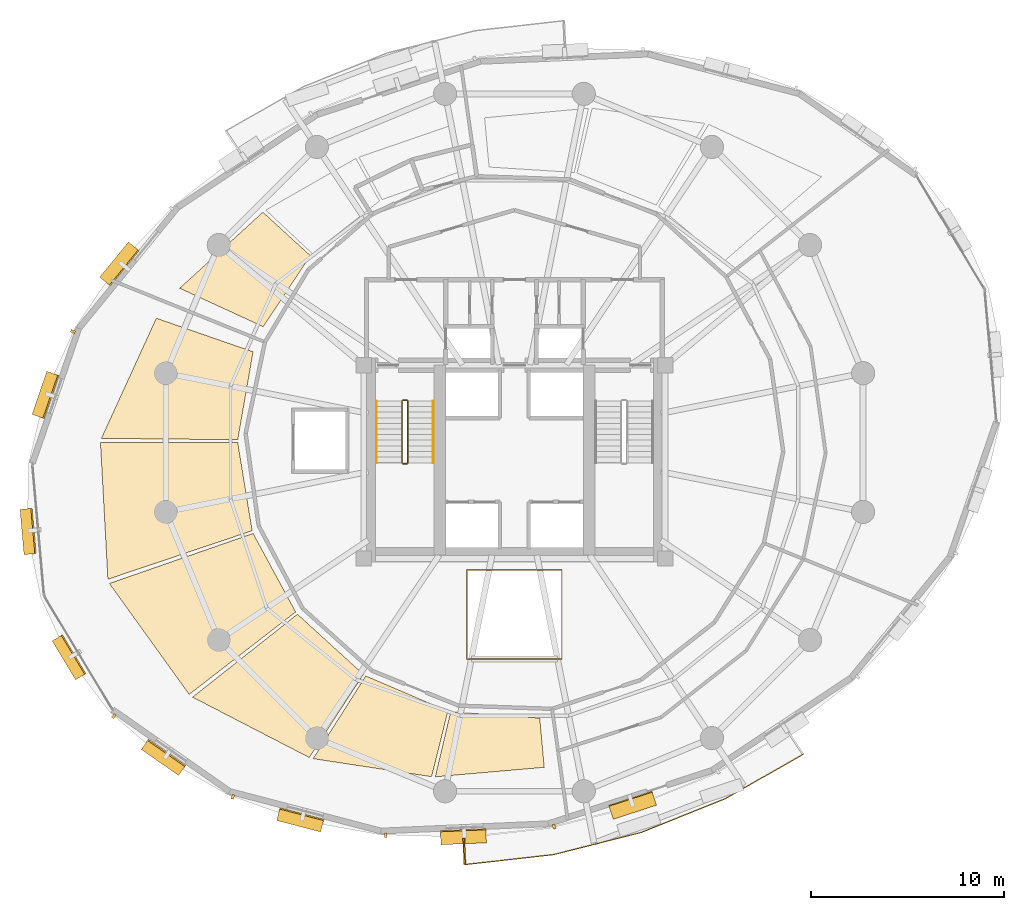
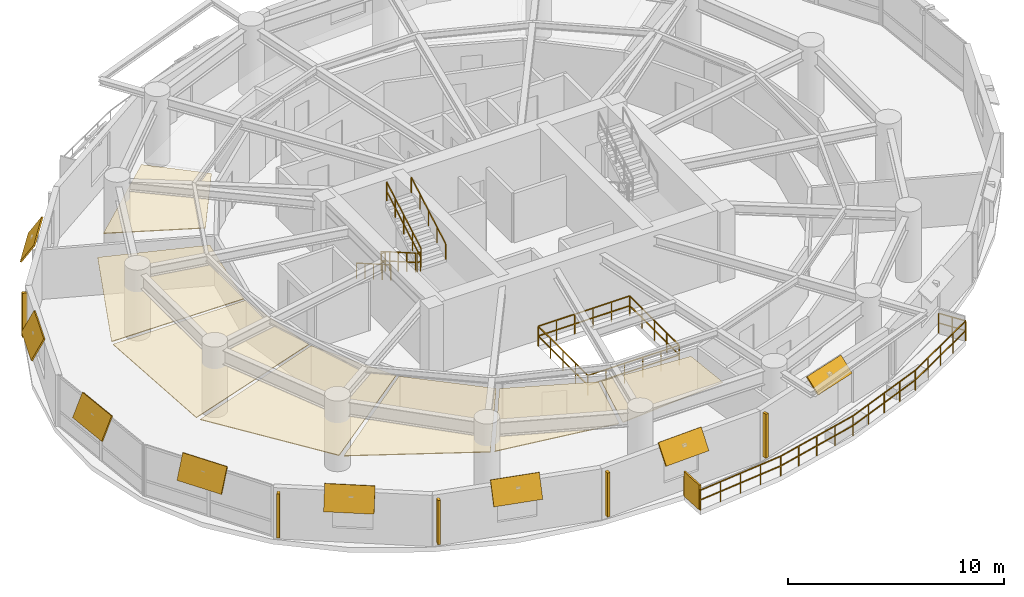
# One storey, part 13 of 15: 14 shading devices, 8 railings, 7 coverings.
"""IFC4 building model written with IfcOpenShell, lengths in metres."""

from ifc_helpers import new_model, si_unit, direction, frame, origin, origin_2d, place, context, subcontext, project, spatial, polyline, rectangle, outline, extrude, material, layer, layer_set, type_object, element, save


model = new_model("IFC4")

# Units and contexts
model_context = context("Model", 3, precision=1e-05, world=origin(), true_north=direction((0.0, 1.0)))
body_context = subcontext(model_context, "Body", "Model", "MODEL_VIEW")
ifc_project = project(units=[si_unit("LENGTHUNIT", "METRE"), si_unit("AREAUNIT", "SQUARE_METRE"), si_unit("VOLUMEUNIT", "CUBIC_METRE"), si_unit("PLANEANGLEUNIT", "RADIAN"), si_unit("MASSUNIT", "GRAM", prefix="KILO"), si_unit("THERMODYNAMICTEMPERATUREUNIT", "KELVIN"), si_unit("POWERUNIT", "WATT")], contexts=[model_context])

# Site, building, storey
site_placement = place(None, origin())
site = spatial("IfcSite", under=ifc_project, at=site_placement, CompositionType="ELEMENT")
building_placement = place(site_placement, origin())
building = spatial("IfcBuilding", under=site, at=building_placement, Name="Ocrelia Relay Tower", CompositionType="ELEMENT")
storey_placement = place(building_placement, frame((0.0, 0.0, 109.800048828125)))
storey = spatial("IfcBuildingStorey", under=building, at=storey_placement, Name="L25", CompositionType="ELEMENT", Elevation=109.800048828125)

# Coverings
ifc_material_1 = material(Name="Mineral-fiber acoustic ceiling tile", Category="gypsum")
ifc_layer_1 = layer(ifc_material_1, 0.0400390625, Name="Mineral-fiber acoustic ceiling tile")
ifc_layer_set_1 = layer_set([ifc_layer_1], Name="Mineral-fiber acoustic ceiling tile")
covering_type_1 = type_object("IfcCoveringType", Name="COV-CEIL-ACOUSTIC", PredefinedType="CEILING", material=ifc_layer_set_1)
covering_1_placement = place(storey_placement, frame((0.0, 0.0, 2.719970703125)))
element("IfcCovering", 1, at=covering_1_placement, inside=storey, type_object=covering_type_1, Name="L25 Network Engineering Office A Suspended Ceiling 3", PredefinedType="CEILING", context=body_context, shape_type="SweptSolid", body=[
    extrude(outline(polyline([(23.439453125, 35.67138671875), (20.9814453125, 37.92236328125), (16.675048828125, 33.987060546875), (20.995361328125, 31.9951171875), (23.439453125, 35.67138671875)])), origin(), (0.0, 0.0, 1.0), 0.0400390625),
])
ifc_material_2 = material(Name="Cleanroom metal-pan acoustic ceiling", Category="aluminium")
ifc_layer_2 = layer(ifc_material_2, 0.0400390625, Name="Cleanroom metal-pan acoustic ceiling")
ifc_layer_set_2 = layer_set([ifc_layer_2], Name="Cleanroom metal-pan acoustic ceiling")
covering_type_2 = type_object("IfcCoveringType", Name="COV-CEIL-CLEAN", PredefinedType="CEILING", material=ifc_layer_set_2)
covering_2_placement = place(storey_placement, frame((0.0, 0.0, 2.719970703125)))
element("IfcCovering", 2, at=covering_2_placement, inside=storey, type_object=covering_type_2, Name="L25 Optical Switching Hall A Suspended Ceiling 1", PredefinedType="CEILING", context=body_context, shape_type="SweptSolid", body=[
    extrude(outline(polyline([(20.472412109375, 30.697509765625), (15.466796875, 32.435791015625), (12.62255859375, 26.2177734375), (19.6806640625, 26.145751953125), (20.472412109375, 30.697509765625)])), origin(), (0.0, 0.0, 1.0), 0.0400390625),
])
covering_3_placement = place(storey_placement, frame((0.0, 0.0, 2.719970703125)))
element("IfcCovering", 3, at=covering_3_placement, inside=storey, type_object=covering_type_2, Name="L25 Optical Switching Hall A Suspended Ceiling 2", PredefinedType="CEILING", context=body_context, shape_type="SweptSolid", body=[
    extrude(outline(polyline([(19.679931640625, 25.995849609375), (12.57373046875, 25.993896484375), (12.958251953125, 18.925537109375), (20.426513671875, 21.4365234375), (19.679931640625, 25.995849609375)])), origin(), (0.0, 0.0, 1.0), 0.0400390625),
])
covering_4_placement = place(storey_placement, frame((0.0, 0.0, 2.719970703125)))
element("IfcCovering", 4, at=covering_4_placement, inside=storey, type_object=covering_type_2, Name="L25 Optical Switching Hall A Suspended Ceiling 3", PredefinedType="CEILING", context=body_context, shape_type="SweptSolid", body=[
    extrude(outline(polyline([(20.47509765625, 21.294677734375), (13.035888671875, 18.706298828125), (17.1650390625, 12.965087890625), (22.67724609375, 17.23291015625), (20.47509765625, 21.294677734375)])), origin(), (0.0, 0.0, 1.0), 0.0400390625),
])
covering_5_placement = place(storey_placement, frame((0.0, 0.0, 2.719970703125)))
element("IfcCovering", 5, at=covering_5_placement, inside=storey, type_object=covering_type_2, Name="L25 Optical Switching Hall A Suspended Ceiling 4", PredefinedType="CEILING", context=body_context, shape_type="SweptSolid", body=[
    extrude(outline(polyline([(22.769775390625, 17.114990234375), (17.342041015625, 12.82080078125), (23.38037109375, 9.698974609375), (26.183349609375, 14.001708984375), (22.769775390625, 17.114990234375)])), origin(), (0.0, 0.0, 1.0), 0.0400390625),
])
covering_6_placement = place(storey_placement, frame((0.0, 0.0, 2.719970703125)))
element("IfcCovering", 6, at=covering_6_placement, inside=storey, type_object=covering_type_2, Name="L25 Optical Switching Hall A Suspended Ceiling 5", PredefinedType="CEILING", context=body_context, shape_type="SweptSolid", body=[
    extrude(outline(polyline([(26.309326171875, 13.92041015625), (23.5830078125, 9.637939453125), (29.71435546875, 8.703857421875), (30.555908203125, 12.100341796875), (26.309326171875, 13.92041015625)])), origin(), (0.0, 0.0, 1.0), 0.0400390625),
])
covering_7_placement = place(storey_placement, frame((0.0, 0.0, 2.719970703125)))
element("IfcCovering", 7, at=covering_7_placement, inside=storey, type_object=covering_type_2, Name="L25 Optical Switching Hall A Suspended Ceiling 6", PredefinedType="CEILING", context=body_context, shape_type="SweptSolid", body=[
    extrude(outline(polyline([(30.70166015625, 12.06494140625), (29.905029296875, 8.69970703125), (35.544677734375, 9.18994140625), (35.310302734375, 11.739990234375), (30.70166015625, 12.06494140625)])), origin(), (0.0, 0.0, 1.0), 0.0400390625),
])

# Railings
ifc_material_3 = material(Name="Steel S355 balustrade", Category="steel")
railing_type_1 = type_object("IfcRailingType", Name="RL-EXT-GUARD-1150", PredefinedType="GUARDRAIL", material=ifc_material_3)
railing_1_placement = place(storey_placement, frame((48.17138671875, 11.018798828125, 0.0)))
element("IfcRailing", 8, at=railing_1_placement, inside=storey, type_object=railing_type_1, Name="L25 Loggia Balcony Guard Rail B2", PredefinedType="GUARDRAIL", context=body_context, shape_type="SweptSolid", body=[
    extrude(rectangle(XDim=0.048095703125, YDim=0.048095703125, at=origin_2d()), frame((0.0, 0.0, 1.1259765625), z_axis=(0.554902349709, -0.831915489871, 0.0), x_axis=(0.831915489871, 0.554902349709, 0.0)), (0.0, 0.0, 1.0), 1.393310546875),
    extrude(rectangle(XDim=0.048095703125, YDim=0.048095703125, at=origin_2d()), frame((0.0, 0.0, 0.574951171875), z_axis=(0.554902349709, -0.831915489871, 0.0), x_axis=(0.831915489871, 0.554902349709, 0.0)), (0.0, 0.0, 1.0), 1.393310546875),
    extrude(rectangle(XDim=0.048095703125, YDim=0.048095703125, at=origin_2d()), frame((0.773193359375, -1.1591796875, 1.1259765625), z_axis=(-0.868884753161, -0.495014429813, 0.0), x_axis=(0.495014429813, -0.868884753161, 0.0)), (0.0, 0.0, 1.0), 2.315673828125),
    extrude(rectangle(XDim=0.048095703125, YDim=0.048095703125, at=origin_2d()), frame((0.773193359375, -1.1591796875, 0.574951171875), z_axis=(-0.868884753161, -0.495014429813, 0.0), x_axis=(0.495014429813, -0.868884753161, 0.0)), (0.0, 0.0, 1.0), 2.315673828125),
    extrude(rectangle(XDim=0.048095703125, YDim=0.048095703125, at=origin_2d()), frame((-1.23876953125, -2.305419921875, 1.1259765625), z_axis=(-0.868865242424, -0.495048674887, 0.0), x_axis=(0.495048674887, -0.868865242424, 0.0)), (0.0, 0.0, 1.0), 2.31591796875),
    extrude(rectangle(XDim=0.048095703125, YDim=0.048095703125, at=origin_2d()), frame((-1.23876953125, -2.305419921875, 0.574951171875), z_axis=(-0.868865242424, -0.495048674887, 0.0), x_axis=(0.495048674887, -0.868865242424, 0.0)), (0.0, 0.0, 1.0), 2.31591796875),
    extrude(rectangle(XDim=0.048095703125, YDim=0.048095703125, at=origin_2d()), frame((-3.2509765625, -3.451904296875, 1.1259765625), z_axis=(-0.927900195964, -0.372828682278, 0.0), x_axis=(0.372828682278, -0.927900195964, 0.0)), (0.0, 0.0, 1.0), 4.68212890625),
    extrude(rectangle(XDim=0.048095703125, YDim=0.048095703125, at=origin_2d()), frame((-3.2509765625, -3.451904296875, 0.574951171875), z_axis=(-0.927900195964, -0.372828682278, 0.0), x_axis=(0.372828682278, -0.927900195964, 0.0)), (0.0, 0.0, 1.0), 4.68212890625),
    extrude(rectangle(XDim=0.048095703125, YDim=0.048095703125, at=origin_2d()), frame((-7.595458984375, -5.197509765625, 1.1259765625), z_axis=(-0.969411192098, -0.245442336679, 0.0), x_axis=(0.245442336679, -0.969411192098, 0.0)), (0.0, 0.0, 1.0), 4.68212890625),
    extrude(rectangle(XDim=0.048095703125, YDim=0.048095703125, at=origin_2d()), frame((-7.595458984375, -5.197509765625, 0.574951171875), z_axis=(-0.969411192098, -0.245442336679, 0.0), x_axis=(0.245442336679, -0.969411192098, 0.0)), (0.0, 0.0, 1.0), 4.68212890625),
    extrude(rectangle(XDim=0.048095703125, YDim=0.048095703125, at=origin_2d()), frame((-12.13427734375, -6.3466796875, 1.1259765625), z_axis=(-0.993701122452, -0.112062836109, 0.0), x_axis=(0.112062836109, -0.993701122452, 0.0)), (0.0, 0.0, 1.0), 2.31591796875),
    extrude(rectangle(XDim=0.048095703125, YDim=0.048095703125, at=origin_2d()), frame((-12.13427734375, -6.3466796875, 0.574951171875), z_axis=(-0.993701122452, -0.112062836109, 0.0), x_axis=(0.112062836109, -0.993701122452, 0.0)), (0.0, 0.0, 1.0), 2.31591796875),
    extrude(rectangle(XDim=0.048095703125, YDim=0.048095703125, at=origin_2d()), frame((-14.435546875, -6.606201171875, 1.1259765625), z_axis=(-0.993712856534, -0.11195873686, 0.0), x_axis=(0.11195873686, -0.993712856534, 0.0)), (0.0, 0.0, 1.0), 2.31591796875),
    extrude(rectangle(XDim=0.048095703125, YDim=0.048095703125, at=origin_2d()), frame((-14.435546875, -6.606201171875, 0.574951171875), z_axis=(-0.993712856534, -0.11195873686, 0.0), x_axis=(0.11195873686, -0.993712856534, 0.0)), (0.0, 0.0, 1.0), 2.31591796875),
    extrude(rectangle(XDim=0.048095703125, YDim=0.048095703125, at=origin_2d()), frame((-16.73681640625, -6.865478515625, 1.1259765625), z_axis=(-0.041696128443, 0.999130338281, 0.0), x_axis=(-0.999130338281, -0.041696128443, 0.0)), (0.0, 0.0, 1.0), 1.3935546875),
    extrude(rectangle(XDim=0.048095703125, YDim=0.048095703125, at=origin_2d()), frame((-16.73681640625, -6.865478515625, 0.574951171875), z_axis=(-0.041696128443, 0.999130338281, 0.0), x_axis=(-0.999130338281, -0.041696128443, 0.0)), (0.0, 0.0, 1.0), 1.3935546875),
    extrude(rectangle(XDim=0.0419921875, YDim=0.0419921875, at=origin_2d()), origin(), (0.0, 0.0, 1.0), 1.101806640625),
    extrude(rectangle(XDim=0.0419921875, YDim=0.0419921875, at=origin_2d()), frame((0.38671875, -0.57958984375, 0.0)), (0.0, 0.0, 1.0), 1.101806640625),
    extrude(rectangle(XDim=0.0419921875, YDim=0.0419921875, at=origin_2d()), frame((0.773193359375, -1.1591796875, 0.0)), (0.0, 0.0, 1.0), 1.101806640625),
    extrude(rectangle(XDim=0.0419921875, YDim=0.0419921875, at=origin_2d()), frame((-0.23291015625, -1.732421875, 0.0)), (0.0, 0.0, 1.0), 1.101806640625),
    extrude(rectangle(XDim=0.0419921875, YDim=0.0419921875, at=origin_2d()), frame((-1.23876953125, -2.305419921875, 0.0)), (0.0, 0.0, 1.0), 1.101806640625),
    extrude(rectangle(XDim=0.0419921875, YDim=0.0419921875, at=origin_2d()), frame((-2.244873046875, -2.878662109375, 0.0)), (0.0, 0.0, 1.0), 1.101806640625),
    extrude(rectangle(XDim=0.0419921875, YDim=0.0419921875, at=origin_2d()), frame((-3.2509765625, -3.451904296875, 0.0)), (0.0, 0.0, 1.0), 1.101806640625),
    extrude(rectangle(XDim=0.0419921875, YDim=0.0419921875, at=origin_2d()), frame((-4.337158203125, -3.88818359375, 0.0)), (0.0, 0.0, 1.0), 1.101806640625),
    extrude(rectangle(XDim=0.0419921875, YDim=0.0419921875, at=origin_2d()), frame((-5.42333984375, -4.32470703125, 0.0)), (0.0, 0.0, 1.0), 1.101806640625),
    extrude(rectangle(XDim=0.0419921875, YDim=0.0419921875, at=origin_2d()), frame((-6.50927734375, -4.76123046875, 0.0)), (0.0, 0.0, 1.0), 1.101806640625),
    extrude(rectangle(XDim=0.0419921875, YDim=0.0419921875, at=origin_2d()), frame((-7.595458984375, -5.197509765625, 0.0)), (0.0, 0.0, 1.0), 1.101806640625),
    extrude(rectangle(XDim=0.0419921875, YDim=0.0419921875, at=origin_2d()), frame((-8.730224609375, -5.48486328125, 0.0)), (0.0, 0.0, 1.0), 1.101806640625),
    extrude(rectangle(XDim=0.0419921875, YDim=0.0419921875, at=origin_2d()), frame((-9.86474609375, -5.77197265625, 0.0)), (0.0, 0.0, 1.0), 1.101806640625),
    extrude(rectangle(XDim=0.0419921875, YDim=0.0419921875, at=origin_2d()), frame((-10.99951171875, -6.059326171875, 0.0)), (0.0, 0.0, 1.0), 1.101806640625),
    extrude(rectangle(XDim=0.0419921875, YDim=0.0419921875, at=origin_2d()), frame((-12.13427734375, -6.3466796875, 0.0)), (0.0, 0.0, 1.0), 1.101806640625),
    extrude(rectangle(XDim=0.0419921875, YDim=0.0419921875, at=origin_2d()), frame((-13.284912109375, -6.4765625, 0.0)), (0.0, 0.0, 1.0), 1.101806640625),
    extrude(rectangle(XDim=0.0419921875, YDim=0.0419921875, at=origin_2d()), frame((-14.435546875, -6.606201171875, 0.0)), (0.0, 0.0, 1.0), 1.101806640625),
    extrude(rectangle(XDim=0.0419921875, YDim=0.0419921875, at=origin_2d()), frame((-15.586181640625, -6.73583984375, 0.0)), (0.0, 0.0, 1.0), 1.101806640625),
    extrude(rectangle(XDim=0.0419921875, YDim=0.0419921875, at=origin_2d()), frame((-16.73681640625, -6.865478515625, 0.0)), (0.0, 0.0, 1.0), 1.101806640625),
    extrude(rectangle(XDim=0.0419921875, YDim=0.0419921875, at=origin_2d()), frame((-16.765869140625, -6.16943359375, 0.0)), (0.0, 0.0, 1.0), 1.101806640625),
    extrude(rectangle(XDim=0.0419921875, YDim=0.0419921875, at=origin_2d()), frame((-16.794921875, -5.47314453125, 0.0)), (0.0, 0.0, 1.0), 1.101806640625),
])
ifc_material_4 = material(Name="Steel S355 atrium balustrade", Category="steel")
railing_type_2 = type_object("IfcRailingType", Name="RL-INT-GUARD-115", PredefinedType="GUARDRAIL", material=ifc_material_4)
railing_2_placement = place(storey_placement, frame((31.550048828125, 14.800048828125, 0.0)))
element("IfcRailing", 9, at=railing_2_placement, inside=storey, type_object=railing_type_2, Name="L25 Multi-Zone Interior Atrium Guard", PredefinedType="GUARDRAIL", context=body_context, shape_type="SweptSolid", body=[
    extrude(rectangle(XDim=0.048095703125, YDim=0.048095703125, at=origin_2d()), frame((0.0, 0.0, 1.1259765625), z_axis=(1.0, 0.0, 0.0), x_axis=(0.0, 1.0, 0.0)), (0.0, 0.0, 1.0), 4.89990234375),
    extrude(rectangle(XDim=0.048095703125, YDim=0.048095703125, at=origin_2d()), frame((0.0, 0.0, 0.574951171875), z_axis=(1.0, 0.0, 0.0), x_axis=(0.0, 1.0, 0.0)), (0.0, 0.0, 1.0), 4.89990234375),
    extrude(rectangle(XDim=0.048095703125, YDim=0.048095703125, at=origin_2d()), frame((4.89990234375, 0.0, 1.1259765625), z_axis=(0.0, 1.0, 0.0), x_axis=(-1.0, 0.0, 0.0)), (0.0, 0.0, 1.0), 4.599853515625),
    extrude(rectangle(XDim=0.048095703125, YDim=0.048095703125, at=origin_2d()), frame((4.89990234375, 0.0, 0.574951171875), z_axis=(0.0, 1.0, 0.0), x_axis=(-1.0, 0.0, 0.0)), (0.0, 0.0, 1.0), 4.599853515625),
    extrude(rectangle(XDim=0.048095703125, YDim=0.048095703125, at=origin_2d()), frame((4.89990234375, 4.599853515625, 1.1259765625), z_axis=(-1.0, 0.0, 0.0), x_axis=(0.0, -1.0, 0.0)), (0.0, 0.0, 1.0), 4.89990234375),
    extrude(rectangle(XDim=0.048095703125, YDim=0.048095703125, at=origin_2d()), frame((4.89990234375, 4.599853515625, 0.574951171875), z_axis=(-1.0, 0.0, 0.0), x_axis=(0.0, -1.0, 0.0)), (0.0, 0.0, 1.0), 4.89990234375),
    extrude(rectangle(XDim=0.048095703125, YDim=0.048095703125, at=origin_2d()), frame((0.0, 4.599853515625, 1.1259765625), z_axis=(0.0, -1.0, 0.0), x_axis=(1.0, 0.0, 0.0)), (0.0, 0.0, 1.0), 4.599853515625),
    extrude(rectangle(XDim=0.048095703125, YDim=0.048095703125, at=origin_2d()), frame((0.0, 4.599853515625, 0.574951171875), z_axis=(0.0, -1.0, 0.0), x_axis=(1.0, 0.0, 0.0)), (0.0, 0.0, 1.0), 4.599853515625),
    extrude(rectangle(XDim=0.0419921875, YDim=0.0419921875, at=origin_2d()), origin(), (0.0, 0.0, 1.0), 1.101806640625),
    extrude(rectangle(XDim=0.0419921875, YDim=0.0419921875, at=origin_2d()), frame((0.97998046875, 0.0, 0.0)), (0.0, 0.0, 1.0), 1.101806640625),
    extrude(rectangle(XDim=0.0419921875, YDim=0.0419921875, at=origin_2d()), frame((1.9599609375, 0.0, 0.0)), (0.0, 0.0, 1.0), 1.101806640625),
    extrude(rectangle(XDim=0.0419921875, YDim=0.0419921875, at=origin_2d()), frame((2.93994140625, 0.0, 0.0)), (0.0, 0.0, 1.0), 1.101806640625),
    extrude(rectangle(XDim=0.0419921875, YDim=0.0419921875, at=origin_2d()), frame((3.919921875, 0.0, 0.0)), (0.0, 0.0, 1.0), 1.101806640625),
    extrude(rectangle(XDim=0.0419921875, YDim=0.0419921875, at=origin_2d()), frame((4.89990234375, 0.0, 0.0)), (0.0, 0.0, 1.0), 1.101806640625),
    extrude(rectangle(XDim=0.0419921875, YDim=0.0419921875, at=origin_2d()), frame((4.89990234375, 1.14990234375, 0.0)), (0.0, 0.0, 1.0), 1.101806640625),
    extrude(rectangle(XDim=0.0419921875, YDim=0.0419921875, at=origin_2d()), frame((4.89990234375, 2.2998046875, 0.0)), (0.0, 0.0, 1.0), 1.101806640625),
    extrude(rectangle(XDim=0.0419921875, YDim=0.0419921875, at=origin_2d()), frame((4.89990234375, 3.449951171875, 0.0)), (0.0, 0.0, 1.0), 1.101806640625),
    extrude(rectangle(XDim=0.0419921875, YDim=0.0419921875, at=origin_2d()), frame((4.89990234375, 4.599853515625, 0.0)), (0.0, 0.0, 1.0), 1.101806640625),
    extrude(rectangle(XDim=0.0419921875, YDim=0.0419921875, at=origin_2d()), frame((3.919921875, 4.599853515625, 0.0)), (0.0, 0.0, 1.0), 1.101806640625),
    extrude(rectangle(XDim=0.0419921875, YDim=0.0419921875, at=origin_2d()), frame((2.93994140625, 4.599853515625, 0.0)), (0.0, 0.0, 1.0), 1.101806640625),
    extrude(rectangle(XDim=0.0419921875, YDim=0.0419921875, at=origin_2d()), frame((1.9599609375, 4.599853515625, 0.0)), (0.0, 0.0, 1.0), 1.101806640625),
    extrude(rectangle(XDim=0.0419921875, YDim=0.0419921875, at=origin_2d()), frame((0.97998046875, 4.599853515625, 0.0)), (0.0, 0.0, 1.0), 1.101806640625),
    extrude(rectangle(XDim=0.0419921875, YDim=0.0419921875, at=origin_2d()), frame((0.0, 4.599853515625, 0.0)), (0.0, 0.0, 1.0), 1.101806640625),
    extrude(rectangle(XDim=0.0419921875, YDim=0.0419921875, at=origin_2d()), frame((0.0, 3.449951171875, 0.0)), (0.0, 0.0, 1.0), 1.101806640625),
    extrude(rectangle(XDim=0.0419921875, YDim=0.0419921875, at=origin_2d()), frame((0.0, 2.2998046875, 0.0)), (0.0, 0.0, 1.0), 1.101806640625),
    extrude(rectangle(XDim=0.0419921875, YDim=0.0419921875, at=origin_2d()), frame((0.0, 1.14990234375, 0.0)), (0.0, 0.0, 1.0), 1.101806640625),
])
railing_type_3 = type_object("IfcRailingType", Name="RL-STAIR-GUARD", PredefinedType="GUARDRAIL", material=ifc_material_3)
railing_3_placement = place(storey_placement, frame((28.179931640625, 28.14990234375, 0.16650390625)))
element("IfcRailing", 10, at=railing_3_placement, inside=storey, type_object=railing_type_3, Name="L25 ST1 stair guard 1", PredefinedType="GUARDRAIL", context=body_context, shape_type="SweptSolid", body=[
    extrude(rectangle(XDim=0.048095703125, YDim=0.048095703125, at=origin_2d()), frame((0.0, 0.0, 1.076171875), z_axis=(0.0, -0.86699087805, 0.498324008431), x_axis=(1.0, 0.0, 0.0)), (0.0, 0.0, 1.0), 3.679443359375),
    extrude(rectangle(XDim=0.048095703125, YDim=0.048095703125, at=origin_2d()), frame((0.0, 0.0, 0.550048828125), z_axis=(0.0, -0.86699087805, 0.498324008431), x_axis=(1.0, 0.0, 0.0)), (0.0, 0.0, 1.0), 3.679443359375),
    extrude(rectangle(XDim=0.0419921875, YDim=0.0419921875, at=origin_2d()), origin(), (0.0, 0.0, 1.0), 1.052001953125),
    extrude(rectangle(XDim=0.0419921875, YDim=0.0419921875, at=origin_2d()), frame((0.0, -0.79736328125, 0.45849609375)), (0.0, 0.0, 1.0), 1.052001953125),
    extrude(rectangle(XDim=0.0419921875, YDim=0.0419921875, at=origin_2d()), frame((0.0, -1.594970703125, 0.916748046875)), (0.0, 0.0, 1.0), 1.052001953125),
    extrude(rectangle(XDim=0.0419921875, YDim=0.0419921875, at=origin_2d()), frame((0.0, -2.392578125, 1.375)), (0.0, 0.0, 1.0), 1.052001953125),
    extrude(rectangle(XDim=0.0419921875, YDim=0.0419921875, at=origin_2d()), frame((0.0, -3.18994140625, 1.83349609375)), (0.0, 0.0, 1.0), 1.052001953125),
])
railing_4_placement = place(storey_placement, frame((28.22998046875, 24.909912109375, 2.0)))
element("IfcRailing", 11, at=railing_4_placement, inside=storey, type_object=railing_type_3, Name="L25 ST1 stair guard 2", PredefinedType="GUARDRAIL", context=body_context, shape_type="SweptSolid", body=[
    extrude(rectangle(XDim=0.048095703125, YDim=0.048095703125, at=origin_2d()), frame((0.0, 0.0, 1.076171875), z_axis=(1.0, 0.0, 0.0), x_axis=(0.0, 1.0, 0.0)), (0.0, 0.0, 1.0), 0.199951171875),
    extrude(rectangle(XDim=0.048095703125, YDim=0.048095703125, at=origin_2d()), frame((0.0, 0.0, 0.550048828125), z_axis=(1.0, 0.0, 0.0), x_axis=(0.0, 1.0, 0.0)), (0.0, 0.0, 1.0), 0.199951171875),
    extrude(rectangle(XDim=0.0419921875, YDim=0.0419921875, at=origin_2d()), origin(), (0.0, 0.0, 1.0), 1.052001953125),
    extrude(rectangle(XDim=0.0419921875, YDim=0.0419921875, at=origin_2d()), frame((0.199951171875, 0.0, 0.0)), (0.0, 0.0, 1.0), 1.052001953125),
])
railing_5_placement = place(storey_placement, frame((28.47998046875, 24.9599609375, 2.16650390625)))
element("IfcRailing", 12, at=railing_5_placement, inside=storey, type_object=railing_type_3, Name="L25 ST1 stair guard 3", PredefinedType="GUARDRAIL", context=body_context, shape_type="SweptSolid", body=[
    extrude(rectangle(XDim=0.048095703125, YDim=0.048095703125, at=origin_2d()), frame((0.0, 0.0, 1.076171875), z_axis=(0.0, 0.86699087805, 0.498324008431), x_axis=(-1.0, 0.0, 0.0)), (0.0, 0.0, 1.0), 3.679443359375),
    extrude(rectangle(XDim=0.048095703125, YDim=0.048095703125, at=origin_2d()), frame((0.0, 0.0, 0.550048828125), z_axis=(0.0, 0.86699087805, 0.498324008431), x_axis=(-1.0, 0.0, 0.0)), (0.0, 0.0, 1.0), 3.679443359375),
    extrude(rectangle(XDim=0.0419921875, YDim=0.0419921875, at=origin_2d()), origin(), (0.0, 0.0, 1.0), 1.052001953125),
    extrude(rectangle(XDim=0.0419921875, YDim=0.0419921875, at=origin_2d()), frame((0.0, 0.79736328125, 0.45849609375)), (0.0, 0.0, 1.0), 1.052001953125),
    extrude(rectangle(XDim=0.0419921875, YDim=0.0419921875, at=origin_2d()), frame((0.0, 1.594970703125, 0.916748046875)), (0.0, 0.0, 1.0), 1.052001953125),
    extrude(rectangle(XDim=0.0419921875, YDim=0.0419921875, at=origin_2d()), frame((0.0, 2.392578125, 1.375)), (0.0, 0.0, 1.0), 1.052001953125),
    extrude(rectangle(XDim=0.0419921875, YDim=0.0419921875, at=origin_2d()), frame((0.0, 3.18994140625, 1.83349609375)), (0.0, 0.0, 1.0), 1.052001953125),
])
railing_6_placement = place(storey_placement, frame((28.22998046875, 28.199951171875, 0.0)))
element("IfcRailing", 13, at=railing_6_placement, inside=storey, type_object=railing_type_3, Name="L25 ST1 stair guard 4", PredefinedType="GUARDRAIL", context=body_context, shape_type="SweptSolid", body=[
    extrude(rectangle(XDim=0.048095703125, YDim=0.048095703125, at=origin_2d()), frame((0.0, 0.0, 1.076171875), z_axis=(1.0, 0.0, 0.0), x_axis=(0.0, 1.0, 0.0)), (0.0, 0.0, 1.0), 0.199951171875),
    extrude(rectangle(XDim=0.048095703125, YDim=0.048095703125, at=origin_2d()), frame((0.0, 0.0, 0.550048828125), z_axis=(1.0, 0.0, 0.0), x_axis=(0.0, 1.0, 0.0)), (0.0, 0.0, 1.0), 0.199951171875),
    extrude(rectangle(XDim=0.0419921875, YDim=0.0419921875, at=origin_2d()), origin(), (0.0, 0.0, 1.0), 1.052001953125),
    extrude(rectangle(XDim=0.0419921875, YDim=0.0419921875, at=origin_2d()), frame((0.199951171875, 0.0, 0.0)), (0.0, 0.0, 1.0), 1.052001953125),
])
ifc_material_5 = material(Name="Steel S355 tubular handrail", Category="steel")
railing_type_4 = type_object("IfcRailingType", Name="RL-STAIR-HAND", PredefinedType="HANDRAIL", material=ifc_material_5)
railing_7_placement = place(storey_placement, frame((26.860107421875, 28.14990234375, 0.16650390625)))
element("IfcRailing", 14, at=railing_7_placement, inside=storey, type_object=railing_type_4, Name="L25 ST1 stair handrail 1", PredefinedType="HANDRAIL", context=body_context, shape_type="SweptSolid", body=[
    extrude(rectangle(XDim=0.048095703125, YDim=0.048095703125, at=origin_2d()), frame((0.0, 0.0, 0.8759765625), z_axis=(0.0, -0.86699087805, 0.498324008431), x_axis=(1.0, 0.0, 0.0)), (0.0, 0.0, 1.0), 3.679443359375),
    extrude(rectangle(XDim=0.0419921875, YDim=0.0419921875, at=origin_2d()), origin(), (0.0, 0.0, 1.0), 0.851806640625),
    extrude(rectangle(XDim=0.0419921875, YDim=0.0419921875, at=origin_2d()), frame((0.0, -0.79736328125, 0.45849609375)), (0.0, 0.0, 1.0), 0.851806640625),
    extrude(rectangle(XDim=0.0419921875, YDim=0.0419921875, at=origin_2d()), frame((0.0, -1.594970703125, 0.916748046875)), (0.0, 0.0, 1.0), 0.851806640625),
    extrude(rectangle(XDim=0.0419921875, YDim=0.0419921875, at=origin_2d()), frame((0.0, -2.392578125, 1.375)), (0.0, 0.0, 1.0), 0.851806640625),
    extrude(rectangle(XDim=0.0419921875, YDim=0.0419921875, at=origin_2d()), frame((0.0, -3.18994140625, 1.83349609375)), (0.0, 0.0, 1.0), 0.851806640625),
])
railing_8_placement = place(storey_placement, frame((29.800048828125, 24.9599609375, 2.16650390625)))
element("IfcRailing", 15, at=railing_8_placement, inside=storey, type_object=railing_type_4, Name="L25 ST1 stair handrail 2", PredefinedType="HANDRAIL", context=body_context, shape_type="SweptSolid", body=[
    extrude(rectangle(XDim=0.048095703125, YDim=0.048095703125, at=origin_2d()), frame((0.0, 0.0, 0.8759765625), z_axis=(0.0, 0.86699087805, 0.498324008431), x_axis=(-1.0, 0.0, 0.0)), (0.0, 0.0, 1.0), 3.679443359375),
    extrude(rectangle(XDim=0.0419921875, YDim=0.0419921875, at=origin_2d()), origin(), (0.0, 0.0, 1.0), 0.851806640625),
    extrude(rectangle(XDim=0.0419921875, YDim=0.0419921875, at=origin_2d()), frame((0.0, 0.79736328125, 0.45849609375)), (0.0, 0.0, 1.0), 0.851806640625),
    extrude(rectangle(XDim=0.0419921875, YDim=0.0419921875, at=origin_2d()), frame((0.0, 1.594970703125, 0.916748046875)), (0.0, 0.0, 1.0), 0.851806640625),
    extrude(rectangle(XDim=0.0419921875, YDim=0.0419921875, at=origin_2d()), frame((0.0, 2.392578125, 1.375)), (0.0, 0.0, 1.0), 0.851806640625),
    extrude(rectangle(XDim=0.0419921875, YDim=0.0419921875, at=origin_2d()), frame((0.0, 3.18994140625, 1.83349609375)), (0.0, 0.0, 1.0), 0.851806640625),
])

# Shading devices
ifc_material_6 = material(Name="Perforated oxide terracotta solar screen", Category="masonry")
ifc_layer_3 = layer(ifc_material_6, 0.090087890625, Name="Perforated oxide terracotta solar screen")
ifc_layer_set_3 = layer_set([ifc_layer_3], Name="Perforated oxide terracotta solar screen")
shading_device_type_1 = type_object("IfcShadingDeviceType", Name="SH-BALC-SCREEN", PredefinedType="USERDEFINED", material=ifc_layer_set_3)
shading_device_1_placement = place(storey_placement, frame((31.405517578125, 4.849609375, 0.0), z_axis=(0.0, 0.0, 1.0), x_axis=(0.041764862886, -0.999127467458, 0.0)))
element("IfcShadingDevice", 16, at=shading_device_1_placement, inside=storey, type_object=shading_device_type_1, Name="L25 Balcony Perforated Terracotta Screen B2-1", ObjectType="SCREEN", PredefinedType="USERDEFINED", context=body_context, shape_type="SweptSolid", body=[
    extrude(rectangle(XDim=1.340087890625, YDim=0.090087890625, at=origin_2d()), origin(), (0.0, 0.0, 1.0), 1.39990234375),
])
ifc_material_7 = material(Name="Extruded oxide terracotta vertical baguette", Category="masonry")
shading_device_type_2 = type_object("IfcShadingDeviceType", Name="SH-TERR-BAGUETTE", PredefinedType="USERDEFINED", material=ifc_material_7)
for number, where, z_axis, x_axis, name in (
    (17, (11.1552734375, 31.75, 0.199951171875), (0.0, 0.0, 1.0), (-0.32505970653, -0.945693495373, 0.0), "L25 Oxide Terracotta Vertical Baguette 08"),
    (18, (13.27001953125, 11.8466796875, 0.199951171875), (0.0, 0.0, 1.0), (0.819851198105, -0.572576643749, 0.0), "L25 Oxide Terracotta Vertical Baguette 11"),
    (19, (19.431884765625, 7.661865234375, 0.199951171875), (0.0, 0.0, 1.0), (0.96740717635, -0.253225897464, 0.0), "L25 Oxide Terracotta Vertical Baguette 12"),
    (20, (27.339111328125, 5.67578125, 0.199951171875), (0.0, 0.0, 1.0), (0.999064298858, 0.043249586665, 0.0), "L25 Oxide Terracotta Vertical Baguette 13"),
    (21, (36.0537109375, 6.1259765625, 0.199951171875), (0.0, 0.0, 1.0), (0.950786541625, 0.309846659278, 0.0), "L25 Oxide Terracotta Vertical Baguette 14"),
):
    element("IfcShadingDevice", number, at=place(storey_placement, frame(where, z_axis=z_axis, x_axis=x_axis)), inside=storey, type_object=shading_device_type_2, Name=name, ObjectType="BAGUETTE", PredefinedType="USERDEFINED", context=body_context, shape_type="SweptSolid", body=[
        extrude(rectangle(XDim=0.139892578125, YDim=0.239990234375, at=origin_2d()), origin(), (0.0, 0.0, 1.0), 2.5),
    ])
ifc_material_8 = material(Name="Extruded oxide terracotta fin", Category="masonry")
ifc_layer_4 = layer(ifc_material_8, 0.080078125, Name="Extruded oxide terracotta fin")
ifc_layer_set_4 = layer_set([ifc_layer_4], Name="Extruded oxide terracotta fin")
shading_device_type_3 = type_object("IfcShadingDeviceType", Name="SH-VISOR-FIN-DEEP", PredefinedType="USERDEFINED", material=ifc_layer_set_4)
shading_device_2_placement = place(storey_placement, frame((13.58203125, 35.2216796875, 2.718505859375), z_axis=(-0.654296050236, 0.534245079671, 0.535237212358), x_axis=(-0.632465896633, -0.774588206466, 0.0)))
element("IfcShadingDevice", 22, at=shading_device_2_placement, inside=storey, type_object=shading_device_type_3, Name="L25 Canted Terracotta Sun-Visor Fin 07", ObjectType="FIN", PredefinedType="USERDEFINED", context=body_context, shape_type="SweptSolid", body=[
    extrude(rectangle(XDim=2.35009765625, YDim=1.2109375, at=origin_2d()), origin(), (0.0, 0.0, 1.0), 0.080078125),
])
shading_device_3_placement = place(storey_placement, frame((9.764892578125, 28.452392578125, 2.7216796875), z_axis=(-0.839753099892, 0.288645208563, 0.459889850721), x_axis=(-0.32505970653, -0.945693495373, 0.0)))
element("IfcShadingDevice", 23, at=shading_device_3_placement, inside=storey, type_object=shading_device_type_3, Name="L25 Canted Terracotta Sun-Visor Fin 08", ObjectType="FIN", PredefinedType="USERDEFINED", context=body_context, shape_type="SweptSolid", body=[
    extrude(rectangle(XDim=2.35009765625, YDim=1.2939453125, at=origin_2d()), origin(), (0.0, 0.0, 1.0), 0.080078125),
])
shading_device_4_placement = place(storey_placement, frame((8.86572265625, 21.40087890625, 2.72314453125), z_axis=(-0.904356647825, -0.080403682069, 0.419135182781), x_axis=(0.088557738612, -0.996071045123, 0.0)))
element("IfcShadingDevice", 24, at=shading_device_4_placement, inside=storey, type_object=shading_device_type_3, Name="L25 Canted Terracotta Sun-Visor Fin 09", ObjectType="FIN", PredefinedType="USERDEFINED", context=body_context, shape_type="SweptSolid", body=[
    extrude(rectangle(XDim=2.35009765625, YDim=1.3369140625, at=origin_2d()), origin(), (0.0, 0.0, 1.0), 0.080078125),
])
shading_device_5_placement = place(storey_placement, frame((10.97900390625, 14.905517578125, 2.7236328125), z_axis=(-0.782906097421, -0.470768887885, 0.406736643076), x_axis=(0.51532070347, -0.856997416901, 0.0)))
element("IfcShadingDevice", 25, at=shading_device_5_placement, inside=storey, type_object=shading_device_type_3, Name="L25 Canted Terracotta Sun-Visor Fin 10", ObjectType="FIN", PredefinedType="USERDEFINED", context=body_context, shape_type="SweptSolid", body=[
    extrude(rectangle(XDim=2.35009765625, YDim=1.35009765625, at=origin_2d()), origin(), (0.0, 0.0, 1.0), 0.080078125),
])
shading_device_6_placement = place(storey_placement, frame((15.855224609375, 9.732666015625, 2.72314453125), z_axis=(-0.51876160961, -0.742795452474, 0.423250880897), x_axis=(0.819851198105, -0.572576643749, 0.0)))
element("IfcShadingDevice", 26, at=shading_device_6_placement, inside=storey, type_object=shading_device_type_3, Name="L25 Canted Terracotta Sun-Visor Fin 11", ObjectType="FIN", PredefinedType="USERDEFINED", context=body_context, shape_type="SweptSolid", body=[
    extrude(rectangle(XDim=2.35009765625, YDim=1.3330078125, at=origin_2d()), origin(), (0.0, 0.0, 1.0), 0.080078125),
])
shading_device_7_placement = place(storey_placement, frame((22.927490234375, 6.50439453125, 2.720947265625), z_axis=(-0.222665661803, -0.85065690876, 0.476238203668), x_axis=(0.96740717635, -0.253225897464, 0.0)))
element("IfcShadingDevice", 27, at=shading_device_7_placement, inside=storey, type_object=shading_device_type_3, Name="L25 Canted Terracotta Sun-Visor Fin 12", ObjectType="FIN", PredefinedType="USERDEFINED", context=body_context, shape_type="SweptSolid", body=[
    extrude(rectangle(XDim=2.35009765625, YDim=1.27587890625, at=origin_2d()), origin(), (0.0, 0.0, 1.0), 0.080078125),
])
shading_device_8_placement = place(storey_placement, frame((31.35791015625, 5.633544921875, 2.717041015625), z_axis=(0.035362921569, -0.816882545406, 0.575719003324), x_axis=(0.999064298858, 0.043249586665, 0.0)))
element("IfcShadingDevice", 28, at=shading_device_8_placement, inside=storey, type_object=shading_device_type_3, Name="L25 Canted Terracotta Sun-Visor Fin 13", ObjectType="FIN", PredefinedType="USERDEFINED", context=body_context, shape_type="SweptSolid", body=[
    extrude(rectangle(XDim=2.35009765625, YDim=1.1640625, at=origin_2d()), origin(), (0.0, 0.0, 1.0), 0.080078125),
])
ifc_layer_5 = layer(ifc_material_8, 0.080078125, Name="Extruded oxide terracotta fin")
ifc_layer_set_5 = layer_set([ifc_layer_5], Name="Extruded oxide terracotta fin")
shading_device_type_4 = type_object("IfcShadingDeviceType", Name="SH-VISOR-FIN-MED", PredefinedType="USERDEFINED", material=ifc_layer_set_5)
shading_device_9_placement = place(storey_placement, frame((40.108154296875, 7.2568359375, 2.711669921875), z_axis=(0.218711948054, -0.671133189517, 0.708339837725), x_axis=(0.950786541625, 0.309846659278, 0.0)))
element("IfcShadingDevice", 29, at=shading_device_9_placement, inside=storey, type_object=shading_device_type_4, Name="L25 Canted Terracotta Sun-Visor Fin 14", ObjectType="FIN", PredefinedType="USERDEFINED", context=body_context, shape_type="SweptSolid", body=[
    extrude(rectangle(XDim=2.35009765625, YDim=0.998046875, at=origin_2d()), origin(), (0.0, 0.0, 1.0), 0.080078125),
])

save(model, "model.ifc")
